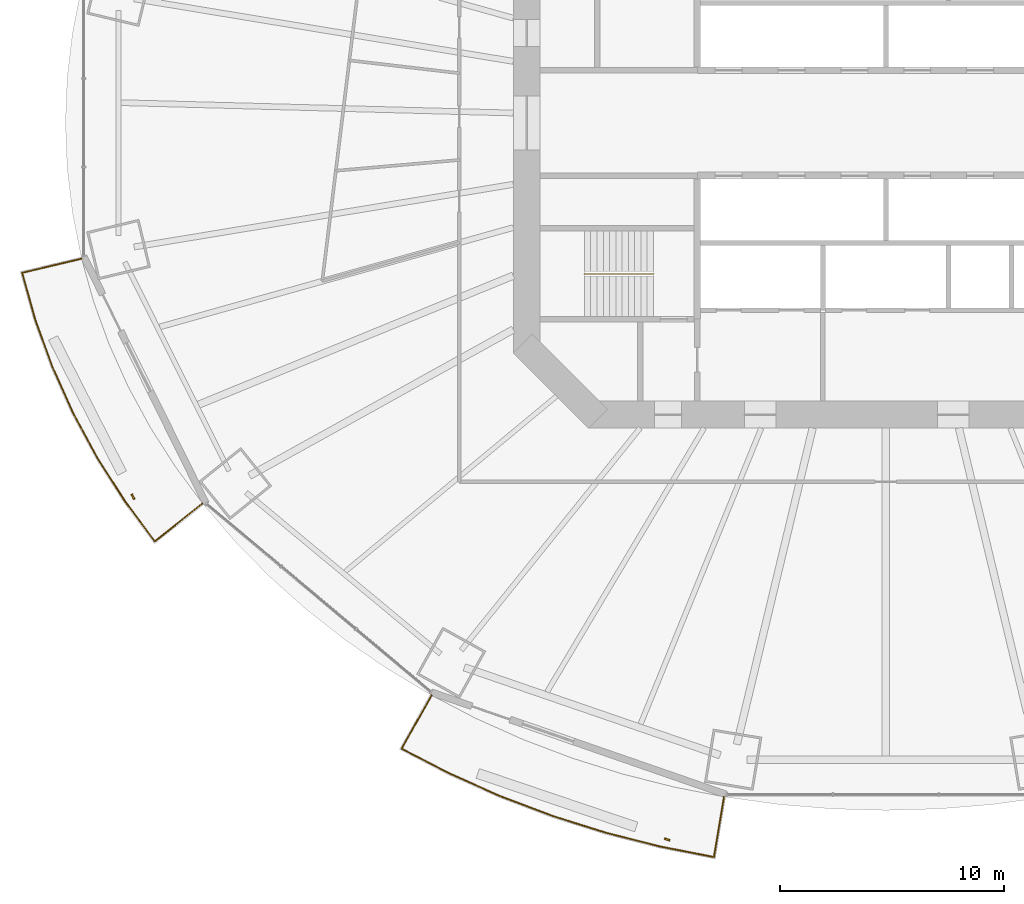
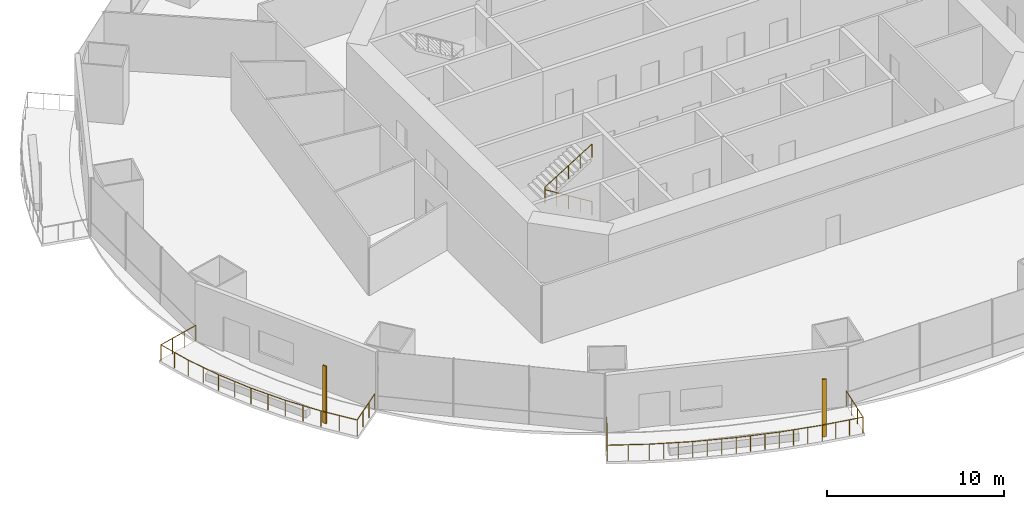
# One storey, part 18 of 23: 3 railings, 2 shading devices.
"""IFC4 building model written with IfcOpenShell, lengths in metres."""

import ifcopenshell
import ifcopenshell.guid

model = None  # the IFC model being written
_history = None  # IfcOwnerHistory: only IFC2X3 demands one
_inside = {}  # id of a spatial element -> (the spatial element, [elements in it])
_under = {}  # id of a project, library or spatial element -> (it, [spatial elements below it])
_declared = {}  # id of a project -> (the project, [libraries it declares])
_typed = {}  # id of a type object -> (the type object, [elements of that type])
_made_of = {}  # id of a material, layer set ... -> (it, [elements and type objects made of it])


def new_model(schema):
    """Start an empty IFC model of exactly this schema.

    Asked for "IFC4X3", IfcOpenShell would pick the latest addendum, in which some entities
    have other attributes; the version numbers below select the first issue.
    IFC2X3 requires an IfcOwnerHistory on every rooted entity: one is made here for all.
    """
    global model, _history
    if schema == "IFC4X3":
        model = ifcopenshell.file(schema_version=(4, 3, 0, 0))
    else:
        model = ifcopenshell.file(schema=schema)
    _inside.clear()
    _under.clear()
    _declared.clear()
    _typed.clear()
    _made_of.clear()
    _history = None
    if model.schema == "IFC2X3":
        org = make("IfcOrganization", Name="unknown")
        user = make(
            "IfcPersonAndOrganization",
            ThePerson=make("IfcPerson", FamilyName="unknown"),
            TheOrganization=org,
        )
        app = make(
            "IfcApplication",
            ApplicationDeveloper=org,
            Version="unknown",
            ApplicationFullName="unknown",
            ApplicationIdentifier="unknown",
        )
        _history = make(
            "IfcOwnerHistory",
            OwningUser=user,
            OwningApplication=app,
            ChangeAction="ADDED",
            CreationDate=0,
        )
    return model


def make(cls, **values):
    """One entity of the class cls with the attributes given. An attribute that is None is left unset."""
    return model.create_entity(
        cls, **{name: value for name, value in values.items() if value is not None}
    )


def rooted(cls, **values):
    """An entity with a GlobalId (a new one), such as an element, a storey or a relation."""
    return make(cls, GlobalId=ifcopenshell.guid.new(), OwnerHistory=_history, **values)


def si_unit(unit_type, name, prefix=None):
    """IfcSIUnit, for example si_unit("LENGTHUNIT", "METRE", prefix="MILLI")."""
    return make("IfcSIUnit", UnitType=unit_type, Prefix=prefix, Name=name)


def assignment(units):
    """IfcUnitAssignment: the units of a project."""
    return None if units is None else make("IfcUnitAssignment", Units=units)


def point(xyz):
    """IfcCartesianPoint."""
    return None if xyz is None else make("IfcCartesianPoint", Coordinates=xyz)


def direction(xyz):
    """IfcDirection."""
    return None if xyz is None else make("IfcDirection", DirectionRatios=xyz)


def frame(location, z_axis=None, x_axis=None):
    """IfcAxis2Placement3D, a coordinate frame: its origin and axes. An axis left out is left unset."""
    return make(
        "IfcAxis2Placement3D",
        Location=point(location),
        Axis=direction(z_axis),
        RefDirection=direction(x_axis),
    )


def frame_2d(location, x_axis=None):
    """IfcAxis2Placement2D, a coordinate frame in the plane: its origin and x axis."""
    return make(
        "IfcAxis2Placement2D", Location=point(location), RefDirection=direction(x_axis)
    )


def origin():
    """The frame at (0, 0, 0) with its axes left unset."""
    return frame((0.0, 0.0, 0.0))


def origin_2d():
    """The frame at (0, 0) in the plane with its x axis left unset."""
    return frame_2d((0.0, 0.0))


def place(relative_to, where):
    """IfcLocalPlacement: puts the frame where relative to a parent placement (None: the world)."""
    return make(
        "IfcLocalPlacement", PlacementRelTo=relative_to, RelativePlacement=where
    )


def context(
    kind, dimensions, precision=None, world=None, true_north=None, identifier=None
):
    """IfcGeometricRepresentationContext, for example the 3D "Model" context."""
    return make(
        "IfcGeometricRepresentationContext",
        ContextIdentifier=identifier,
        ContextType=kind,
        CoordinateSpaceDimension=dimensions,
        Precision=precision,
        WorldCoordinateSystem=world,
        TrueNorth=true_north,
    )


def subcontext(parent, identifier, kind, view, scale=None):
    """IfcGeometricRepresentationSubContext, for example "Body" below "Model"."""
    return make(
        "IfcGeometricRepresentationSubContext",
        ContextIdentifier=identifier,
        ContextType=kind,
        ParentContext=parent,
        TargetScale=scale,
        TargetView=view,
    )


def project(units=None, contexts=None):
    """IfcProject with its units and contexts."""
    return rooted(
        "IfcProject",
        Name="project",
        RepresentationContexts=contexts,
        UnitsInContext=assignment(units),
    )


def spatial(cls, under=None, at=None, **own):
    """A site, building, storey or space (cls), placed at a placement, below another one or the project."""
    s = rooted(cls, ObjectPlacement=at, **own)
    if under is not None:
        _under.setdefault(under.id(), (under, []))[1].append(s)
    return s


def profile(cls, at=None, kind="AREA", **sizes):
    """A parametric profile (cls). Its sizes go by their IFC names, for example OverallWidth=200.0."""
    return make(cls, ProfileType=kind, Position=at, **sizes)


def rectangle(**sizes):
    """IfcRectangleProfileDef."""
    return profile("IfcRectangleProfileDef", **sizes)


def circle(**sizes):
    """IfcCircleProfileDef."""
    return profile("IfcCircleProfileDef", **sizes)


def extrude(swept, where, along, depth):
    """IfcExtrudedAreaSolid: the profile swept, set in the frame where, extruded along a direction by depth."""
    return make(
        "IfcExtrudedAreaSolid",
        SweptArea=swept,
        Position=where,
        ExtrudedDirection=direction(along),
        Depth=depth,
    )


def shape(context_of_items, identifier, shape_type, items):
    """IfcShapeRepresentation: the items that make up one representation, for example the "Body"."""
    return make(
        "IfcShapeRepresentation",
        ContextOfItems=context_of_items,
        RepresentationIdentifier=identifier,
        RepresentationType=shape_type,
        Items=items,
    )


def material(Name=None, Category=None):
    """IfcMaterial."""
    return make("IfcMaterial", Name=Name, Category=Category)


def material_profile(
    of_material, cross_section, Name=None, Category=None, Priority=None
):
    """IfcMaterialProfile: a cross section and its material."""
    return make(
        "IfcMaterialProfile",
        Name=Name,
        Material=of_material,
        Profile=cross_section,
        Priority=Priority,
        Category=Category,
    )


def profile_set(profiles, Name=None, composite=None):
    """IfcMaterialProfileSet."""
    return make(
        "IfcMaterialProfileSet",
        Name=Name,
        MaterialProfiles=profiles,
        CompositeProfile=composite,
    )


def made_of(thing, what):
    """Note that an element or type object is made of a material, layer set ...; save() writes the relation."""
    if what is not None:
        _made_of.setdefault(what.id(), (what, []))[1].append(thing)
    return thing


def type_object(cls, material=None, **own):
    """A type object (cls), such as IfcWallType, which elements share."""
    return made_of(rooted(cls, **own), material)


def element(
    cls,
    number,
    at=None,
    inside=None,
    cuts=None,
    type_object=None,
    material=None,
    context=None,
    identifier="Body",
    shape_type=None,
    held_by="IfcProductDefinitionShape",
    body=None,
    shapes=None,
    **own,
):
    """One element of the class cls, such as IfcWall. Its Tag is "e" and its number.

    at: its placement. inside: the storey or other place that contains it. cuts: it is an
    opening in that element (IfcRelVoidsElement). A single representation is given by context,
    identifier, shape_type and body (its items); several are given by shapes. held_by: the class
    of the entity that holds the representations. save() writes the other relations.
    """
    e = rooted(cls, Tag="e%d" % number, ObjectPlacement=at, **own)
    if body is not None:
        shapes = [shape(context, identifier, shape_type, body)]
    if shapes is not None:
        e.Representation = make(held_by, Representations=shapes)
    if inside is not None:
        _inside.setdefault(inside.id(), (inside, []))[1].append(e)
    if cuts is not None:
        rooted(
            "IfcRelVoidsElement", RelatingBuildingElement=cuts, RelatedOpeningElement=e
        )
    if type_object is not None:
        _typed.setdefault(type_object.id(), (type_object, []))[1].append(e)
    return made_of(e, material)


def aggregate(whole, parts):
    """IfcRelAggregates: a whole, such as a stair, and the parts it consists of."""
    return rooted("IfcRelAggregates", RelatingObject=whole, RelatedObjects=parts)


def save(model, path):
    """Write the relations noted so far, then the file.

    IfcRelAggregates (storeys below a building ...), IfcRelContainedInSpatialStructure (elements
    in a storey), IfcRelDefinesByType, IfcRelAssociatesMaterial and IfcRelDeclares: one each for
    every whole, place, type object, material and project.
    """
    for whole, parts in _under.values():
        aggregate(whole, parts)
    for where, things in _inside.values():
        rooted(
            "IfcRelContainedInSpatialStructure",
            RelatedElements=things,
            RelatingStructure=where,
        )
    for kind, things in _typed.values():
        rooted("IfcRelDefinesByType", RelatedObjects=things, RelatingType=kind)
    for what, things in _made_of.values():
        rooted("IfcRelAssociatesMaterial", RelatedObjects=things, RelatingMaterial=what)
    for by, libraries in _declared.values():
        rooted("IfcRelDeclares", RelatingContext=by, RelatedDefinitions=libraries)
    model.write(path)


model = new_model("IFC4")

# Units and contexts
model_context = context("Model", 3, precision=1e-05, world=origin(), true_north=direction((0.0, 1.0)))
body_context = subcontext(model_context, "Body", "Model", "MODEL_VIEW")
ifc_project = project(units=[si_unit("LENGTHUNIT", "METRE"), si_unit("AREAUNIT", "SQUARE_METRE"), si_unit("VOLUMEUNIT", "CUBIC_METRE"), si_unit("PLANEANGLEUNIT", "RADIAN"), si_unit("MASSUNIT", "GRAM", prefix="KILO")], contexts=[model_context])

# Site, building, storey
site_placement = place(None, origin())
site = spatial("IfcSite", under=ifc_project, at=site_placement, CompositionType="ELEMENT")
building_placement = place(site_placement, origin())
building = spatial("IfcBuilding", under=site, at=building_placement, Name="Marenthal Gate Tower", CompositionType="ELEMENT")
storey_placement = place(building_placement, frame((0.0, 0.0, 45.449951171875)))
storey = spatial("IfcBuildingStorey", under=building, at=storey_placement, Name="L07", CompositionType="ELEMENT", Elevation=45.449951171875)

# Railings
ifc_material_1 = material(Name="Stainless steel", Category="steel")
railing_type_1 = type_object("IfcRailingType", Name="Balcony guard 1100", PredefinedType="GUARDRAIL", material=ifc_material_1)
railing_1_placement = place(storey_placement, frame((-30.44677734375, -16.957275390625, 0.0)))
element("IfcRailing", 1, at=railing_1_placement, inside=storey, type_object=railing_type_1, Name="Balcony guard L07 bay 9", PredefinedType="GUARDRAIL", context=body_context, shape_type="SweptSolid", body=[
    extrude(circle(Radius=0.02392578125, at=origin_2d()), frame((0.0, 0.0, 1.076171875), z_axis=(-0.782017214913, -0.623083029968, -0.014717790136), x_axis=(0.623150524983, -0.782101926358, 0.0)), (0.0, 0.0, 1.0), 2.720458984375),
    extrude(circle(Radius=0.02392578125, at=origin_2d()), frame((-2.12744140625, -1.695068359375, 1.0361328125), z_axis=(-0.594837345743, 0.803846087326, 0.0), x_axis=(-0.803846087326, -0.594837345743, 0.0)), (0.0, 0.0, 1.0), 2.22998046875),
    extrude(circle(Radius=0.02392578125, at=origin_2d()), frame((-3.453857421875, 0.097412109375, 1.0361328125), z_axis=(-0.537716445458, 0.843125746425, 0.0), x_axis=(-0.843125746425, -0.537716445458, 0.0)), (0.0, 0.0, 1.0), 2.291015625),
    extrude(circle(Radius=0.02392578125, at=origin_2d()), frame((-4.685791015625, 2.029052734375, 1.0361328125), z_axis=(-0.475629312141, 0.879645813628, 0.0), x_axis=(-0.879645813628, -0.475629312141, 0.0)), (0.0, 0.0, 1.0), 2.27392578125),
    extrude(circle(Radius=0.02392578125, at=origin_2d()), frame((-5.767333984375, 4.029296875, 1.0361328125), z_axis=(-0.409595910935, 0.912267060539, 0.0), x_axis=(-0.912267060539, -0.409595910935, 0.0)), (0.0, 0.0, 1.0), 2.258544921875),
    extrude(circle(Radius=0.02392578125, at=origin_2d()), frame((-6.6923828125, 6.089599609375, 1.0361328125), z_axis=(-0.340363176703, 0.940294053977, 0.0), x_axis=(-0.940294053977, -0.340363176703, 0.0)), (0.0, 0.0, 1.0), 2.2451171875),
    extrude(circle(Radius=0.02392578125, at=origin_2d()), frame((-7.45654296875, 8.20068359375, 1.0361328125), z_axis=(-0.269402906993, 0.963027556046, 0.0), x_axis=(-0.963027556046, -0.269402906993, 0.0)), (0.0, 0.0, 1.0), 2.154052734375),
    extrude(circle(Radius=0.02392578125, at=origin_2d()), frame((-8.036865234375, 10.275146484375, 1.0361328125), z_axis=(0.972906523904, 0.230729884047, 0.014717892254), x_axis=(-0.230754878041, 0.973011914758, 0.0)), (0.0, 0.0, 1.0), 2.720458984375),
    extrude(circle(Radius=0.02099609375, at=origin_2d()), origin(), (0.0, 0.0, 1.0), 1.052001953125),
    extrude(circle(Radius=0.02099609375, at=origin_2d()), frame((-0.709228515625, -0.56494140625, -0.013427734375)), (0.0, 0.0, 1.0), 1.052001953125),
    extrude(circle(Radius=0.02099609375, at=origin_2d()), frame((-1.418212890625, -1.130126953125, -0.026611328125)), (0.0, 0.0, 1.0), 1.052001953125),
    extrude(circle(Radius=0.02099609375, at=origin_2d()), frame((-2.12744140625, -1.695068359375, -0.0400390625)), (0.0, 0.0, 1.0), 1.052001953125),
    extrude(circle(Radius=0.02099609375, at=origin_2d()), frame((-2.79052734375, -0.798828125, -0.0400390625)), (0.0, 0.0, 1.0), 1.052001953125),
    extrude(circle(Radius=0.02099609375, at=origin_2d()), frame((-3.453857421875, 0.097412109375, -0.0400390625)), (0.0, 0.0, 1.0), 1.052001953125),
    extrude(circle(Radius=0.02099609375, at=origin_2d()), frame((-4.06982421875, 1.063232421875, -0.0400390625)), (0.0, 0.0, 1.0), 1.052001953125),
    extrude(circle(Radius=0.02099609375, at=origin_2d()), frame((-4.685791015625, 2.029052734375, -0.0400390625)), (0.0, 0.0, 1.0), 1.052001953125),
    extrude(circle(Radius=0.02099609375, at=origin_2d()), frame((-5.2265625, 3.029296875, -0.0400390625)), (0.0, 0.0, 1.0), 1.052001953125),
    extrude(circle(Radius=0.02099609375, at=origin_2d()), frame((-5.767333984375, 4.029296875, -0.0400390625)), (0.0, 0.0, 1.0), 1.052001953125),
    extrude(circle(Radius=0.02099609375, at=origin_2d()), frame((-6.22998046875, 5.0595703125, -0.0400390625)), (0.0, 0.0, 1.0), 1.052001953125),
    extrude(circle(Radius=0.02099609375, at=origin_2d()), frame((-6.6923828125, 6.089599609375, -0.0400390625)), (0.0, 0.0, 1.0), 1.052001953125),
    extrude(circle(Radius=0.02099609375, at=origin_2d()), frame((-7.074462890625, 7.14501953125, -0.0400390625)), (0.0, 0.0, 1.0), 1.052001953125),
    extrude(circle(Radius=0.02099609375, at=origin_2d()), frame((-7.45654296875, 8.20068359375, -0.0400390625)), (0.0, 0.0, 1.0), 1.052001953125),
    extrude(circle(Radius=0.02099609375, at=origin_2d()), frame((-7.74658203125, 9.23779296875, -0.0400390625)), (0.0, 0.0, 1.0), 1.052001953125),
    extrude(circle(Radius=0.02099609375, at=origin_2d()), frame((-8.036865234375, 10.275146484375, -0.0400390625)), (0.0, 0.0, 1.0), 1.052001953125),
    extrude(circle(Radius=0.02099609375, at=origin_2d()), frame((-7.154541015625, 10.484375, -0.026611328125)), (0.0, 0.0, 1.0), 1.052001953125),
    extrude(circle(Radius=0.02099609375, at=origin_2d()), frame((-6.2724609375, 10.693603515625, -0.013427734375)), (0.0, 0.0, 1.0), 1.052001953125),
    extrude(circle(Radius=0.02099609375, at=origin_2d()), frame((-5.39013671875, 10.90283203125, 0.0)), (0.0, 0.0, 1.0), 1.052001953125),
])
railing_2_placement = place(storey_placement, frame((-7.2109375, -30.033203125, 0.0)))
element("IfcRailing", 2, at=railing_2_placement, inside=storey, type_object=railing_type_1, Name="Balcony guard L07 bay 11", PredefinedType="GUARDRAIL", context=body_context, shape_type="SweptSolid", body=[
    extrude(circle(Radius=0.02392578125, at=origin_2d()), frame((0.0, 0.0, 1.076171875), z_axis=(-0.164512163182, -0.986265227064, -0.014719036968), x_axis=(0.986372081632, -0.164529986862, 0.0)), (0.0, 0.0, 1.0), 2.72021484375),
    extrude(circle(Radius=0.02392578125, at=origin_2d()), frame((-0.447509765625, -2.682861328125, 1.0361328125), z_axis=(-0.981261967917, 0.19267835976, 0.0), x_axis=(-0.19267835976, -0.981261967917, 0.0)), (0.0, 0.0, 1.0), 2.445556640625),
    extrude(circle(Radius=0.02392578125, at=origin_2d()), frame((-2.84716796875, -2.211669921875, 1.0361328125), z_axis=(-0.969181494284, 0.246347784927, 0.0), x_axis=(-0.246347784927, -0.969181494284, 0.0)), (0.0, 0.0, 1.0), 2.515380859375),
    extrude(circle(Radius=0.02392578125, at=origin_2d()), frame((-5.284912109375, -1.592041015625, 1.0361328125), z_axis=(-0.953671084495, 0.30085123001, 0.0), x_axis=(-0.30085123001, -0.953671084495, 0.0)), (0.0, 0.0, 1.0), 2.502685546875),
    extrude(circle(Radius=0.02392578125, at=origin_2d()), frame((-7.671630859375, -0.839111328125, 1.0361328125), z_axis=(-0.934902124895, 0.354905645019, 0.0), x_axis=(-0.354905645019, -0.934902124895, 0.0)), (0.0, 0.0, 1.0), 2.488037109375),
    extrude(circle(Radius=0.02392578125, at=origin_2d()), frame((-9.997802734375, 0.0439453125, 1.0361328125), z_axis=(-0.912605925031, 0.408840342429, 0.0), x_axis=(-0.408840342429, -0.912605925031, 0.0)), (0.0, 0.0, 1.0), 2.4716796875),
    extrude(circle(Radius=0.02392578125, at=origin_2d()), frame((-12.25341796875, 1.054443359375, 1.0361328125), z_axis=(-0.887280789471, 0.461229661487, 0.0), x_axis=(-0.461229661487, -0.887280789471, 0.0)), (0.0, 0.0, 1.0), 2.37353515625),
    extrude(circle(Radius=0.02392578125, at=origin_2d()), frame((-14.359375, 2.149169921875, 1.0361328125), z_axis=(0.488779989422, 0.872282908041, 0.014719044852), x_axis=(-0.872377413566, 0.488832945188, 0.0)), (0.0, 0.0, 1.0), 2.72021484375),
    extrude(circle(Radius=0.02099609375, at=origin_2d()), origin(), (0.0, 0.0, 1.0), 1.052001953125),
    extrude(circle(Radius=0.02099609375, at=origin_2d()), frame((-0.149169921875, -0.894287109375, -0.013427734375)), (0.0, 0.0, 1.0), 1.052001953125),
    extrude(circle(Radius=0.02099609375, at=origin_2d()), frame((-0.29833984375, -1.78857421875, -0.026611328125)), (0.0, 0.0, 1.0), 1.052001953125),
    extrude(circle(Radius=0.02099609375, at=origin_2d()), frame((-0.447509765625, -2.682861328125, -0.0400390625)), (0.0, 0.0, 1.0), 1.052001953125),
    extrude(circle(Radius=0.02099609375, at=origin_2d()), frame((-1.247314453125, -2.52587890625, -0.0400390625)), (0.0, 0.0, 1.0), 1.052001953125),
    extrude(circle(Radius=0.02099609375, at=origin_2d()), frame((-2.04736328125, -2.36865234375, -0.0400390625)), (0.0, 0.0, 1.0), 1.052001953125),
    extrude(circle(Radius=0.02099609375, at=origin_2d()), frame((-2.84716796875, -2.211669921875, -0.0400390625)), (0.0, 0.0, 1.0), 1.052001953125),
    extrude(circle(Radius=0.02099609375, at=origin_2d()), frame((-3.65966796875, -2.005126953125, -0.0400390625)), (0.0, 0.0, 1.0), 1.052001953125),
    extrude(circle(Radius=0.02099609375, at=origin_2d()), frame((-4.472412109375, -1.798583984375, -0.0400390625)), (0.0, 0.0, 1.0), 1.052001953125),
    extrude(circle(Radius=0.02099609375, at=origin_2d()), frame((-5.284912109375, -1.592041015625, -0.0400390625)), (0.0, 0.0, 1.0), 1.052001953125),
    extrude(circle(Radius=0.02099609375, at=origin_2d()), frame((-6.08056640625, -1.341064453125, -0.0400390625)), (0.0, 0.0, 1.0), 1.052001953125),
    extrude(circle(Radius=0.02099609375, at=origin_2d()), frame((-6.8759765625, -1.090087890625, -0.0400390625)), (0.0, 0.0, 1.0), 1.052001953125),
    extrude(circle(Radius=0.02099609375, at=origin_2d()), frame((-7.671630859375, -0.839111328125, -0.0400390625)), (0.0, 0.0, 1.0), 1.052001953125),
    extrude(circle(Radius=0.02099609375, at=origin_2d()), frame((-8.447021484375, -0.544677734375, -0.0400390625)), (0.0, 0.0, 1.0), 1.052001953125),
    extrude(circle(Radius=0.02099609375, at=origin_2d()), frame((-9.222412109375, -0.25048828125, -0.0400390625)), (0.0, 0.0, 1.0), 1.052001953125),
    extrude(circle(Radius=0.02099609375, at=origin_2d()), frame((-9.997802734375, 0.0439453125, -0.0400390625)), (0.0, 0.0, 1.0), 1.052001953125),
    extrude(circle(Radius=0.02099609375, at=origin_2d()), frame((-10.749755859375, 0.380859375, -0.0400390625)), (0.0, 0.0, 1.0), 1.052001953125),
    extrude(circle(Radius=0.02099609375, at=origin_2d()), frame((-11.50146484375, 0.717529296875, -0.0400390625)), (0.0, 0.0, 1.0), 1.052001953125),
    extrude(circle(Radius=0.02099609375, at=origin_2d()), frame((-12.25341796875, 1.054443359375, -0.0400390625)), (0.0, 0.0, 1.0), 1.052001953125),
    extrude(circle(Radius=0.02099609375, at=origin_2d()), frame((-13.306396484375, 1.601806640625, -0.0400390625)), (0.0, 0.0, 1.0), 1.052001953125),
    extrude(circle(Radius=0.02099609375, at=origin_2d()), frame((-14.359375, 2.149169921875, -0.0400390625)), (0.0, 0.0, 1.0), 1.052001953125),
    extrude(circle(Radius=0.02099609375, at=origin_2d()), frame((-13.916259765625, 2.940185546875, -0.026611328125)), (0.0, 0.0, 1.0), 1.052001953125),
    extrude(circle(Radius=0.02099609375, at=origin_2d()), frame((-13.472900390625, 3.73095703125, -0.013427734375)), (0.0, 0.0, 1.0), 1.052001953125),
    extrude(circle(Radius=0.02099609375, at=origin_2d()), frame((-13.02978515625, 4.52197265625, 0.0)), (0.0, 0.0, 1.0), 1.052001953125),
])
ifc_material_2 = material(Name="Stainless steel", Category="steel")
railing_type_2 = type_object("IfcRailingType", Name="Stair handrail", PredefinedType="HANDRAIL", material=ifc_material_2)
railing_3_placement = place(storey_placement, frame((-10.35009765625, -6.72509765625, 0.1728515625)))
element("IfcRailing", 3, at=railing_3_placement, inside=storey, type_object=railing_type_2, Name="Handrail ST2", PredefinedType="HANDRAIL", context=body_context, shape_type="SweptSolid", body=[
    extrude(circle(Radius=0.0224609375, at=origin_2d()), frame((0.0, 0.0, 0.927490234375), z_axis=(-0.850816621229, 0.0, 0.525462726595), x_axis=(0.0, -1.0, 0.0)), (0.0, 0.0, 1.0), 3.619873046875),
    extrude(circle(Radius=0.0224609375, at=origin_2d()), frame((-3.079833984375, 0.0, 2.82958984375), z_axis=(0.0, 0.0, 1.0), x_axis=(1.0, 0.0, 0.0)), (0.0, 0.0, 1.0), 0.173095703125),
    extrude(circle(Radius=0.0224609375, at=origin_2d()), frame((-3.079833984375, 0.0, 3.002685546875), z_axis=(0.850816621229, 0.0, 0.525462726595), x_axis=(0.0, 1.0, 0.0)), (0.0, 0.0, 1.0), 3.619873046875),
    extrude(circle(Radius=0.02001953125, at=origin_2d()), origin(), (0.0, 0.0, 1.0), 0.905029296875),
    extrude(circle(Radius=0.02001953125, at=origin_2d()), frame((-0.77001953125, 0.0, 0.4755859375)), (0.0, 0.0, 1.0), 0.905029296875),
    extrude(circle(Radius=0.02001953125, at=origin_2d()), frame((-1.5400390625, 0.0, 0.951171875)), (0.0, 0.0, 1.0), 0.905029296875),
    extrude(circle(Radius=0.02001953125, at=origin_2d()), frame((-2.309814453125, 0.0, 1.426513671875)), (0.0, 0.0, 1.0), 0.905029296875),
    extrude(circle(Radius=0.02001953125, at=origin_2d()), frame((-3.079833984375, 0.0, 1.902099609375)), (0.0, 0.0, 1.0), 0.905029296875),
    extrude(circle(Radius=0.02001953125, at=origin_2d()), frame((-3.079833984375, 0.0, 2.0751953125)), (0.0, 0.0, 1.0), 0.905029296875),
    extrude(circle(Radius=0.02001953125, at=origin_2d()), frame((-2.309814453125, 0.0, 2.55078125)), (0.0, 0.0, 1.0), 0.905029296875),
    extrude(circle(Radius=0.02001953125, at=origin_2d()), frame((-1.5400390625, 0.0, 3.0263671875)), (0.0, 0.0, 1.0), 0.905029296875),
    extrude(circle(Radius=0.02001953125, at=origin_2d()), frame((-0.77001953125, 0.0, 3.501708984375)), (0.0, 0.0, 1.0), 0.905029296875),
    extrude(circle(Radius=0.02001953125, at=origin_2d()), frame((0.0, 0.0, 3.977294921875)), (0.0, 0.0, 1.0), 0.905029296875),
])

# Shading devices
ifc_material_3 = material(Name="Terracotta", Category="masonry")
ifc_material_profile = material_profile(ifc_material_3, rectangle(XDim=0.25, YDim=0.080078125, at=origin_2d()), Name="Terracotta baguette 250x80")
ifc_profile_set = profile_set([ifc_material_profile], Name="Terracotta")
shading_device_type = type_object("IfcShadingDeviceType", Name="Terracotta BAGUETTE SCREEN 250x80", PredefinedType="USERDEFINED", material=ifc_profile_set)
for number, where, z_axis, x_axis, name in (
    (4, (-33.545654296875, -16.658935546875, -0.0400390625), (0.0, 0.0, 1.0), (0.44305812807, -0.89649288628, 0.0), "Terracotta BAGUETTE L07 bay 9R"),
    (5, (-9.740234375, -31.9326171875, -0.0400390625), (0.0, 0.0, 1.0), (0.944690686162, -0.327962661713, 0.0), "Terracotta BAGUETTE L07 bay 11R"),
):
    element("IfcShadingDevice", number, at=place(storey_placement, frame(where, z_axis=z_axis, x_axis=x_axis)), inside=storey, type_object=shading_device_type, Name=name, ObjectType="BAGUETTE SCREEN", PredefinedType="USERDEFINED", context=body_context, shape_type="SweptSolid", body=[
        extrude(rectangle(XDim=0.25, YDim=0.080078125, at=origin_2d()), origin(), (0.0, 0.0, 1.0), 3.969970703125),
    ])

save(model, "model.ifc")
